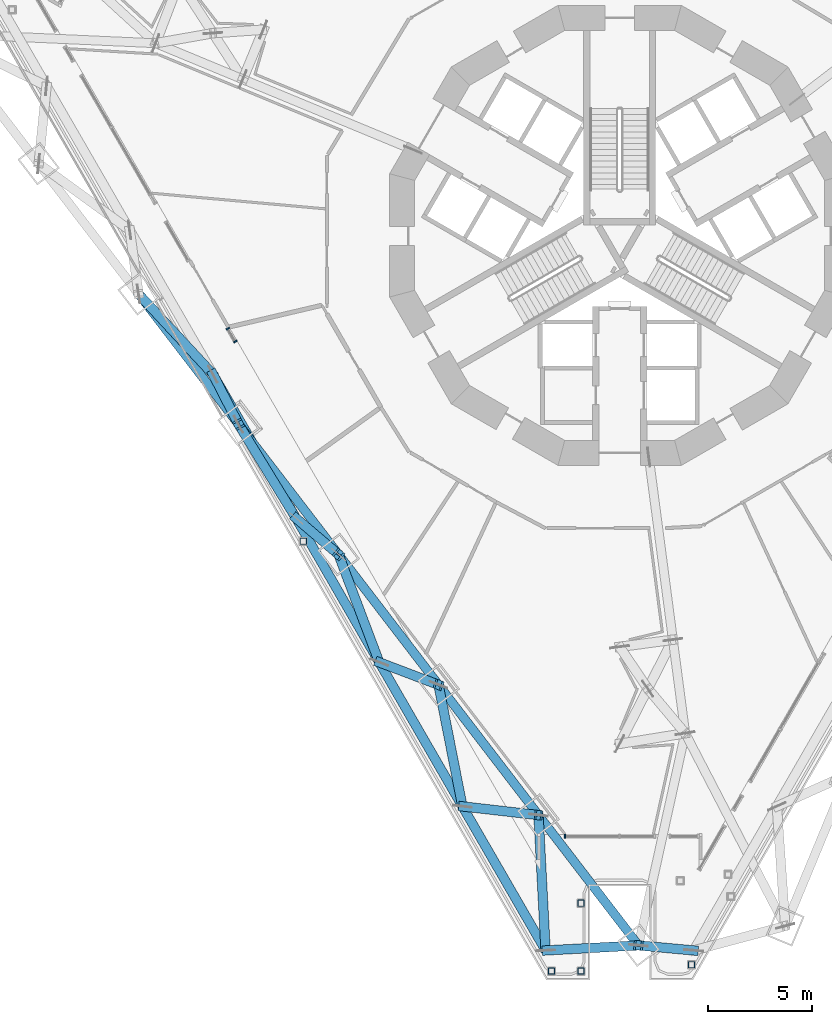
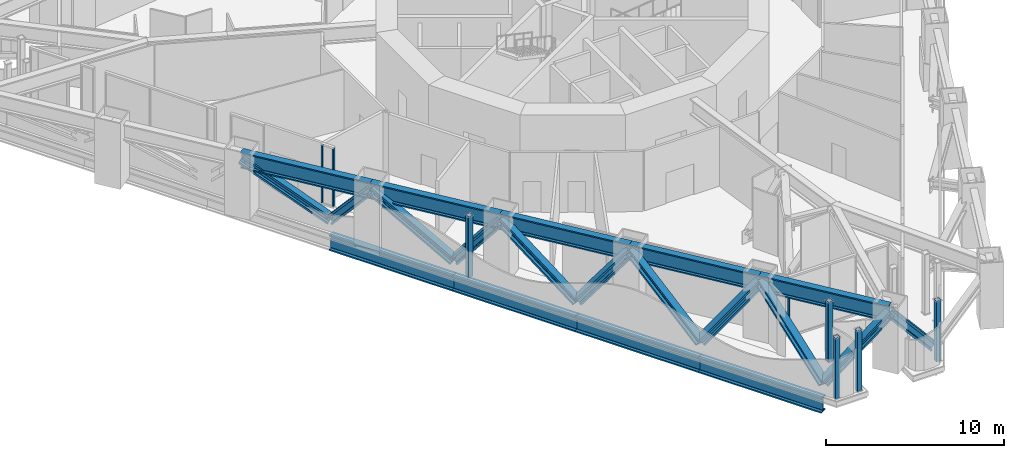
# One storey, part 1 of 28: 28 members, 2 elements without a shape of their own.
"""IFC4 building model written with IfcOpenShell, lengths in metres."""

import ifcopenshell
import ifcopenshell.guid

model = None  # the IFC model being written
_history = None  # IfcOwnerHistory: only IFC2X3 demands one
_inside = {}  # id of a spatial element -> (the spatial element, [elements in it])
_under = {}  # id of a project, library or spatial element -> (it, [spatial elements below it])
_declared = {}  # id of a project -> (the project, [libraries it declares])
_typed = {}  # id of a type object -> (the type object, [elements of that type])
_made_of = {}  # id of a material, layer set ... -> (it, [elements and type objects made of it])


def new_model(schema):
    """Start an empty IFC model of exactly this schema.

    Asked for "IFC4X3", IfcOpenShell would pick the latest addendum, in which some entities
    have other attributes; the version numbers below select the first issue.
    IFC2X3 requires an IfcOwnerHistory on every rooted entity: one is made here for all.
    """
    global model, _history
    if schema == "IFC4X3":
        model = ifcopenshell.file(schema_version=(4, 3, 0, 0))
    else:
        model = ifcopenshell.file(schema=schema)
    _inside.clear()
    _under.clear()
    _declared.clear()
    _typed.clear()
    _made_of.clear()
    _history = None
    if model.schema == "IFC2X3":
        org = make("IfcOrganization", Name="unknown")
        user = make(
            "IfcPersonAndOrganization",
            ThePerson=make("IfcPerson", FamilyName="unknown"),
            TheOrganization=org,
        )
        app = make(
            "IfcApplication",
            ApplicationDeveloper=org,
            Version="unknown",
            ApplicationFullName="unknown",
            ApplicationIdentifier="unknown",
        )
        _history = make(
            "IfcOwnerHistory",
            OwningUser=user,
            OwningApplication=app,
            ChangeAction="ADDED",
            CreationDate=0,
        )
    return model


def make(cls, **values):
    """One entity of the class cls with the attributes given. An attribute that is None is left unset."""
    return model.create_entity(
        cls, **{name: value for name, value in values.items() if value is not None}
    )


def rooted(cls, **values):
    """An entity with a GlobalId (a new one), such as an element, a storey or a relation."""
    return make(cls, GlobalId=ifcopenshell.guid.new(), OwnerHistory=_history, **values)


def si_unit(unit_type, name, prefix=None):
    """IfcSIUnit, for example si_unit("LENGTHUNIT", "METRE", prefix="MILLI")."""
    return make("IfcSIUnit", UnitType=unit_type, Prefix=prefix, Name=name)


def assignment(units):
    """IfcUnitAssignment: the units of a project."""
    return None if units is None else make("IfcUnitAssignment", Units=units)


def point(xyz):
    """IfcCartesianPoint."""
    return None if xyz is None else make("IfcCartesianPoint", Coordinates=xyz)


def direction(xyz):
    """IfcDirection."""
    return None if xyz is None else make("IfcDirection", DirectionRatios=xyz)


def frame(location, z_axis=None, x_axis=None):
    """IfcAxis2Placement3D, a coordinate frame: its origin and axes. An axis left out is left unset."""
    return make(
        "IfcAxis2Placement3D",
        Location=point(location),
        Axis=direction(z_axis),
        RefDirection=direction(x_axis),
    )


def frame_2d(location, x_axis=None):
    """IfcAxis2Placement2D, a coordinate frame in the plane: its origin and x axis."""
    return make(
        "IfcAxis2Placement2D", Location=point(location), RefDirection=direction(x_axis)
    )


def origin():
    """The frame at (0, 0, 0) with its axes left unset."""
    return frame((0.0, 0.0, 0.0))


def origin_2d():
    """The frame at (0, 0) in the plane with its x axis left unset."""
    return frame_2d((0.0, 0.0))


def place(relative_to, where):
    """IfcLocalPlacement: puts the frame where relative to a parent placement (None: the world)."""
    return make(
        "IfcLocalPlacement", PlacementRelTo=relative_to, RelativePlacement=where
    )


def context(
    kind, dimensions, precision=None, world=None, true_north=None, identifier=None
):
    """IfcGeometricRepresentationContext, for example the 3D "Model" context."""
    return make(
        "IfcGeometricRepresentationContext",
        ContextIdentifier=identifier,
        ContextType=kind,
        CoordinateSpaceDimension=dimensions,
        Precision=precision,
        WorldCoordinateSystem=world,
        TrueNorth=true_north,
    )


def subcontext(parent, identifier, kind, view, scale=None):
    """IfcGeometricRepresentationSubContext, for example "Body" below "Model"."""
    return make(
        "IfcGeometricRepresentationSubContext",
        ContextIdentifier=identifier,
        ContextType=kind,
        ParentContext=parent,
        TargetScale=scale,
        TargetView=view,
    )


def project(units=None, contexts=None):
    """IfcProject with its units and contexts."""
    return rooted(
        "IfcProject",
        Name="project",
        RepresentationContexts=contexts,
        UnitsInContext=assignment(units),
    )


def spatial(cls, under=None, at=None, **own):
    """A site, building, storey or space (cls), placed at a placement, below another one or the project."""
    s = rooted(cls, ObjectPlacement=at, **own)
    if under is not None:
        _under.setdefault(under.id(), (under, []))[1].append(s)
    return s


def profile(cls, at=None, kind="AREA", **sizes):
    """A parametric profile (cls). Its sizes go by their IFC names, for example OverallWidth=200.0."""
    return make(cls, ProfileType=kind, Position=at, **sizes)


def rectangle(**sizes):
    """IfcRectangleProfileDef."""
    return profile("IfcRectangleProfileDef", **sizes)


def hollow_rectangle(**sizes):
    """IfcRectangleHollowProfileDef."""
    return profile("IfcRectangleHollowProfileDef", **sizes)


def i_section(**sizes):
    """IfcIShapeProfileDef."""
    return profile("IfcIShapeProfileDef", **sizes)


def extrude(swept, where, along, depth):
    """IfcExtrudedAreaSolid: the profile swept, set in the frame where, extruded along a direction by depth."""
    return make(
        "IfcExtrudedAreaSolid",
        SweptArea=swept,
        Position=where,
        ExtrudedDirection=direction(along),
        Depth=depth,
    )


def shape(context_of_items, identifier, shape_type, items):
    """IfcShapeRepresentation: the items that make up one representation, for example the "Body"."""
    return make(
        "IfcShapeRepresentation",
        ContextOfItems=context_of_items,
        RepresentationIdentifier=identifier,
        RepresentationType=shape_type,
        Items=items,
    )


def material(Name=None, Category=None):
    """IfcMaterial."""
    return make("IfcMaterial", Name=Name, Category=Category)


def layer(
    of_material, thickness, ventilated=None, Name=None, Category=None, Priority=None
):
    """IfcMaterialLayer: one layer of a wall or slab, of a material (None: an air gap)."""
    return make(
        "IfcMaterialLayer",
        Material=of_material,
        LayerThickness=thickness,
        IsVentilated=ventilated,
        Name=Name,
        Category=Category,
        Priority=Priority,
    )


def layer_set(layers, Name=None):
    """IfcMaterialLayerSet."""
    return make("IfcMaterialLayerSet", MaterialLayers=layers, LayerSetName=Name)


def material_profile(
    of_material, cross_section, Name=None, Category=None, Priority=None
):
    """IfcMaterialProfile: a cross section and its material."""
    return make(
        "IfcMaterialProfile",
        Name=Name,
        Material=of_material,
        Profile=cross_section,
        Priority=Priority,
        Category=Category,
    )


def profile_set(profiles, Name=None, composite=None):
    """IfcMaterialProfileSet."""
    return make(
        "IfcMaterialProfileSet",
        Name=Name,
        MaterialProfiles=profiles,
        CompositeProfile=composite,
    )


def made_of(thing, what):
    """Note that an element or type object is made of a material, layer set ...; save() writes the relation."""
    if what is not None:
        _made_of.setdefault(what.id(), (what, []))[1].append(thing)
    return thing


def type_object(cls, material=None, **own):
    """A type object (cls), such as IfcWallType, which elements share."""
    return made_of(rooted(cls, **own), material)


def element(
    cls,
    number,
    at=None,
    inside=None,
    cuts=None,
    type_object=None,
    material=None,
    context=None,
    identifier="Body",
    shape_type=None,
    held_by="IfcProductDefinitionShape",
    body=None,
    shapes=None,
    **own,
):
    """One element of the class cls, such as IfcWall. Its Tag is "e" and its number.

    at: its placement. inside: the storey or other place that contains it. cuts: it is an
    opening in that element (IfcRelVoidsElement). A single representation is given by context,
    identifier, shape_type and body (its items); several are given by shapes. held_by: the class
    of the entity that holds the representations. save() writes the other relations.
    """
    e = rooted(cls, Tag="e%d" % number, ObjectPlacement=at, **own)
    if body is not None:
        shapes = [shape(context, identifier, shape_type, body)]
    if shapes is not None:
        e.Representation = make(held_by, Representations=shapes)
    if inside is not None:
        _inside.setdefault(inside.id(), (inside, []))[1].append(e)
    if cuts is not None:
        rooted(
            "IfcRelVoidsElement", RelatingBuildingElement=cuts, RelatedOpeningElement=e
        )
    if type_object is not None:
        _typed.setdefault(type_object.id(), (type_object, []))[1].append(e)
    return made_of(e, material)


def aggregate(whole, parts):
    """IfcRelAggregates: a whole, such as a stair, and the parts it consists of."""
    return rooted("IfcRelAggregates", RelatingObject=whole, RelatedObjects=parts)


def save(model, path):
    """Write the relations noted so far, then the file.

    IfcRelAggregates (storeys below a building ...), IfcRelContainedInSpatialStructure (elements
    in a storey), IfcRelDefinesByType, IfcRelAssociatesMaterial and IfcRelDeclares: one each for
    every whole, place, type object, material and project.
    """
    for whole, parts in _under.values():
        aggregate(whole, parts)
    for where, things in _inside.values():
        rooted(
            "IfcRelContainedInSpatialStructure",
            RelatedElements=things,
            RelatingStructure=where,
        )
    for kind, things in _typed.values():
        rooted("IfcRelDefinesByType", RelatedObjects=things, RelatingType=kind)
    for what, things in _made_of.values():
        rooted("IfcRelAssociatesMaterial", RelatedObjects=things, RelatingMaterial=what)
    for by, libraries in _declared.values():
        rooted("IfcRelDeclares", RelatingContext=by, RelatedDefinitions=libraries)
    model.write(path)


model = new_model("IFC4")

# Units and contexts
model_context = context("Model", 3, precision=1e-05, world=origin(), true_north=direction((0.0, 1.0)))
body_context = subcontext(model_context, "Body", "Model", "MODEL_VIEW")
ifc_project = project(units=[si_unit("LENGTHUNIT", "METRE"), si_unit("AREAUNIT", "SQUARE_METRE"), si_unit("VOLUMEUNIT", "CUBIC_METRE"), si_unit("PLANEANGLEUNIT", "RADIAN"), si_unit("MASSUNIT", "GRAM", prefix="KILO")], contexts=[model_context])

# Site, building, storey
site_placement = place(None, origin())
site = spatial("IfcSite", under=ifc_project, at=site_placement, CompositionType="ELEMENT")
building_placement = place(site_placement, origin())
building = spatial("IfcBuilding", under=site, at=building_placement, Name="Trine Commons Tower", CompositionType="ELEMENT")
storey_placement = place(building_placement, frame((0.0, 0.0, 45.89990234375)))
storey = spatial("IfcBuildingStorey", under=building, at=storey_placement, Name="L10", CompositionType="ELEMENT", Elevation=45.89990234375)

# Curtain wall, member
ifc_material_1 = material(Name="Sky lounge glazing: anodised aluminium frame with low-emissivity double glazed unit, solar control", Category="aluminium")
ifc_layer = layer(ifc_material_1, 0.179931640625)
ifc_layer_set = layer_set([ifc_layer], Name="Sky lounge glazing: anodised aluminium frame with low-emissivity double glazed unit, solar control")
curtain_wall_type = type_object("IfcCurtainWallType", Name="Sky lounge glazing curtain wall CW5", PredefinedType="NOTDEFINED", material=ifc_layer_set)
curtain_wall_1_placement = place(storey_placement, origin())
curtain_wall_1 = element("IfcCurtainWall", 1, at=curtain_wall_1_placement, inside=storey, type_object=curtain_wall_type, Name="Sky lounge glazing L10 P3.2", PredefinedType="NOTDEFINED")
ifc_material_2 = material(Name="Anodised aluminium, bronze finish", Category="aluminium")
ifc_material_profile_1 = material_profile(ifc_material_2, rectangle(XDim=0.179931640625, YDim=0.074951171875, at=origin_2d()), Name="Mullion 75x180")
ifc_profile_set_1 = profile_set([ifc_material_profile_1], Name="Anodised aluminium, bronze finish")
member_type_1 = type_object("IfcMemberType", Name="Mullion 75x180, Anodised aluminium, bronze finish", PredefinedType="MULLION", material=ifc_profile_set_1)
member_1_placement = place(storey_placement, frame((77.37548828125, 33.74072265625, 0.110107421875), z_axis=(0.0, 0.0, 1.0), x_axis=(0.0, -1.0, 0.0)))
member_1 = element("IfcMember", 2, at=member_1_placement, type_object=member_type_1, Name="CW5 mullion 3.1", PredefinedType="MULLION", context=body_context, shape_type="SweptSolid", body=[
    extrude(rectangle(XDim=0.179931640625, YDim=0.074951171875, at=origin_2d()), origin(), (0.0, 0.0, 1.0), 3.929931640625),
])
aggregate(curtain_wall_1, [member_1])

# Curtain wall, members
curtain_wall_2_placement = place(storey_placement, origin())
curtain_wall_2 = element("IfcCurtainWall", 3, at=curtain_wall_2_placement, inside=storey, type_object=curtain_wall_type, Name="Sky lounge glazing L10 F3.1", PredefinedType="NOTDEFINED")
member_2_placement = place(storey_placement, frame((61.601318359375, 57.418212890625, 0.110107421875), z_axis=(0.0, 0.0, 1.0), x_axis=(-0.866025403784, -0.5, 0.0)))
member_2 = element("IfcMember", 4, at=member_2_placement, type_object=member_type_1, Name="CW5 mullion 1.1", PredefinedType="MULLION", context=body_context, shape_type="SweptSolid", body=[
    extrude(rectangle(XDim=0.179931640625, YDim=0.074951171875, at=origin_2d()), origin(), (0.0, 0.0, 1.0), 3.929931640625),
])
member_3_placement = place(storey_placement, frame((61.2451171875, 58.034912109375, 0.110107421875), z_axis=(0.0, 0.0, 1.0), x_axis=(-0.866025403784, -0.5, 0.0)))
member_3 = element("IfcMember", 5, at=member_3_placement, type_object=member_type_1, Name="CW5 mullion 2.1", PredefinedType="MULLION", context=body_context, shape_type="SweptSolid", body=[
    extrude(rectangle(XDim=0.179931640625, YDim=0.074951171875, at=origin_2d()), origin(), (0.0, 0.0, 1.0), 3.929931640625),
])
aggregate(curtain_wall_2, [member_2, member_3])

# Members
ifc_material_3 = material(Name="Structural steel ASTM A992 Gr50", Category="steel")
ifc_material_profile_2 = material_profile(ifc_material_3, i_section(OverallWidth=0.4541015625, OverallDepth=0.568359375, WebThickness=0.077880859375, FlangeThickness=0.124755859375, FilletRadius=0.015380859375, at=origin_2d()), Name="W14X730")
ifc_profile_set_2 = profile_set([ifc_material_profile_2], Name="Structural steel ASTM A992 Gr50")
member_type_2 = type_object("IfcMemberType", Name="Steel brace W14X730, ASTM A992 Gr50", PredefinedType="BRACE", material=ifc_profile_set_2)
member_4_placement = place(storey_placement, frame((83.54443359375, 28.27001953125, 0.520751953125), z_axis=(-0.649954036394, 0.059512128863, 0.757639793763), x_axis=(-0.091182163181, -0.995834229738, 0.0)))
element("IfcMember", 6, at=member_4_placement, inside=storey, type_object=member_type_2, Name="Transfer truss brace T1-DG-01", PredefinedType="BRACE", context=body_context, shape_type="SweptSolid", body=[
    extrude(i_section(OverallWidth=0.4541015625, OverallDepth=0.568359375, WebThickness=0.077880859375, FlangeThickness=0.124755859375, FilletRadius=0.015380859375, at=origin_2d()), origin(), (0.0, 0.0, 1.0), 4.069580078125),
])
member_5_placement = place(storey_placement, frame((76.45556640625, 28.27001953125, 0.520751953125), z_axis=(0.8207859649, 0.044732429248, 0.5694817026), x_axis=(-0.054418748293, 0.998518202055, 0.0)))
element("IfcMember", 7, at=member_5_placement, inside=storey, type_object=member_type_2, Name="Transfer truss brace T1-DG-02", PredefinedType="BRACE", context=body_context, shape_type="SweptSolid", body=[
    extrude(i_section(OverallWidth=0.4541015625, OverallDepth=0.568359375, WebThickness=0.077880859375, FlangeThickness=0.124755859375, FilletRadius=0.015380859375, at=origin_2d()), origin(), (0.0, 0.0, 1.0), 5.4140625),
])
member_6_placement = place(storey_placement, frame((72.473876953125, 35.16650390625, 0.520751953125), z_axis=(0.760171400933, -0.087278749809, 0.643833721574), x_axis=(0.114065202257, 0.993473265687, 0.0)))
element("IfcMember", 8, at=member_6_placement, inside=storey, type_object=member_type_2, Name="Transfer truss brace T1-DG-03", PredefinedType="BRACE", context=body_context, shape_type="SweptSolid", body=[
    extrude(i_section(OverallWidth=0.4541015625, OverallDepth=0.568359375, WebThickness=0.077880859375, FlangeThickness=0.124755859375, FilletRadius=0.015380859375, at=origin_2d()), origin(), (0.0, 0.0, 1.0), 4.788818359375),
])
member_7_placement = place(storey_placement, frame((76.45556640625, 28.27001953125, 0.520751953125), z_axis=(-0.047516802418, 0.901935528593, 0.429248710831), x_axis=(-0.998615125128, -0.052610187855, 0.0)))
element("IfcMember", 9, at=member_7_placement, inside=storey, type_object=member_type_2, Name="Transfer truss brace T1-DG-04", PredefinedType="BRACE", context=body_context, shape_type="SweptSolid", body=[
    extrude(i_section(OverallWidth=0.4541015625, OverallDepth=0.568359375, WebThickness=0.077880859375, FlangeThickness=0.124755859375, FilletRadius=0.015380859375, at=origin_2d()), origin(), (0.0, 0.0, 1.0), 7.182861328125),
])
member_8_placement = place(storey_placement, frame((68.4921875, 42.06298828125, 0.520751953125), z_axis=(0.655727462654, -0.249255439117, 0.712666275891), x_axis=(0.355316168321, 0.934746179735, 0.0)))
element("IfcMember", 10, at=member_8_placement, inside=storey, type_object=member_type_2, Name="Transfer truss brace T1-DG-05", PredefinedType="BRACE", context=body_context, shape_type="SweptSolid", body=[
    extrude(i_section(OverallWidth=0.4541015625, OverallDepth=0.568359375, WebThickness=0.077880859375, FlangeThickness=0.124755859375, FilletRadius=0.015380859375, at=origin_2d()), origin(), (0.0, 0.0, 1.0), 4.326416015625),
])
member_9_placement = place(storey_placement, frame((72.473876953125, 35.16650390625, 0.520751953125), z_axis=(-0.17128718004, 0.870536316384, 0.46133201039), x_axis=(-0.981187169339, -0.193058899628, 0.0)))
element("IfcMember", 11, at=member_9_placement, inside=storey, type_object=member_type_2, Name="Transfer truss brace T1-DG-06", PredefinedType="BRACE", context=body_context, shape_type="SweptSolid", body=[
    extrude(i_section(OverallWidth=0.4541015625, OverallDepth=0.568359375, WebThickness=0.077880859375, FlangeThickness=0.124755859375, FilletRadius=0.015380859375, at=origin_2d()), origin(), (0.0, 0.0, 1.0), 6.683349609375),
])
member_10_placement = place(storey_placement, frame((64.510498046875, 48.95947265625, 0.520751953125), z_axis=(0.498120662208, -0.425935329121, 0.755284649181), x_axis=(0.649889140517, 0.760029015918, 0.0)))
element("IfcMember", 12, at=member_10_placement, inside=storey, type_object=member_type_2, Name="Transfer truss brace T1-DG-07", PredefinedType="BRACE", context=body_context, shape_type="SweptSolid", body=[
    extrude(i_section(OverallWidth=0.4541015625, OverallDepth=0.568359375, WebThickness=0.077880859375, FlangeThickness=0.124755859375, FilletRadius=0.015380859375, at=origin_2d()), origin(), (0.0, 0.0, 1.0), 4.082275390625),
])
member_11_placement = place(storey_placement, frame((68.4921875, 42.06298828125, 0.520751953125), z_axis=(-0.3084140217, 0.816485541659, 0.488090310783), x_axis=(-0.935485756241, -0.353364400966, 0.0)))
element("IfcMember", 13, at=member_11_placement, inside=storey, type_object=member_type_2, Name="Transfer truss brace T1-DG-08", PredefinedType="BRACE", context=body_context, shape_type="SweptSolid", body=[
    extrude(i_section(OverallWidth=0.4541015625, OverallDepth=0.568359375, WebThickness=0.077880859375, FlangeThickness=0.124755859375, FilletRadius=0.015380859375, at=origin_2d()), origin(), (0.0, 0.0, 1.0), 6.31689453125),
])
member_12_placement = place(storey_placement, frame((60.52880859375, 55.85595703125, 0.520751953125), z_axis=(0.300315736966, -0.585728946294, 0.752816086175), x_axis=(0.889853288508, 0.456246780735, 0.0)))
element("IfcMember", 14, at=member_12_placement, inside=storey, type_object=member_type_2, Name="Transfer truss brace T1-DG-09", PredefinedType="BRACE", context=body_context, shape_type="SweptSolid", body=[
    extrude(i_section(OverallWidth=0.4541015625, OverallDepth=0.568359375, WebThickness=0.077880859375, FlangeThickness=0.124755859375, FilletRadius=0.015380859375, at=origin_2d()), origin(), (0.0, 0.0, 1.0), 4.095703125),
])
member_13_placement = place(storey_placement, frame((64.510498046875, 48.95947265625, 0.520751953125), z_axis=(-0.450516765297, 0.736351685769, 0.504797819975), x_axis=(-0.853011595374, -0.521891960235, 0.0)))
element("IfcMember", 15, at=member_13_placement, inside=storey, type_object=member_type_2, Name="Transfer truss brace T1-DG-10", PredefinedType="BRACE", context=body_context, shape_type="SweptSolid", body=[
    extrude(i_section(OverallWidth=0.4541015625, OverallDepth=0.568359375, WebThickness=0.077880859375, FlangeThickness=0.124755859375, FilletRadius=0.015380859375, at=origin_2d()), origin(), (0.0, 0.0, 1.0), 6.10791015625),
])
member_14_placement = place(storey_placement, frame((60.52880859375, 55.85595703125, 0.520751953125), z_axis=(-0.585500744558, 0.631940338018, 0.507779762603), x_axis=(-0.733546062765, -0.679639738245, 0.0)))
element("IfcMember", 16, at=member_14_placement, inside=storey, type_object=member_type_2, Name="Transfer truss brace T1-DG-12", PredefinedType="BRACE", context=body_context, shape_type="SweptSolid", body=[
    extrude(i_section(OverallWidth=0.4541015625, OverallDepth=0.568359375, WebThickness=0.077880859375, FlangeThickness=0.124755859375, FilletRadius=0.015380859375, at=origin_2d()), origin(), (0.0, 0.0, 1.0), 6.072021484375),
])
ifc_material_profile_3 = material_profile(ifc_material_3, i_section(OverallWidth=0.44775390625, OverallDepth=1.04150390625, WebThickness=0.050048828125, FlangeThickness=0.08984375, FilletRadius=0.024169921875, at=origin_2d()), Name="W36X652")
ifc_profile_set_3 = profile_set([ifc_material_profile_3], Name="Structural steel ASTM A992 Gr50")
member_type_3 = type_object("IfcMemberType", Name="Steel chord W36X652, ASTM A992 Gr50", PredefinedType="CHORD", material=ifc_profile_set_3)
for number, where, z_axis, x_axis, name in (
    (17, (76.45556640625, 28.27001953125, -0.970703125), (-0.500000220644, 0.866025276396, 0.0), (-0.866025276396, -0.500000220644, 0.0), "Transfer truss chord T1-LC-01"),
    (18, (72.473876953125, 35.16650390625, -0.970703125), (-0.500000220644, 0.866025276396, 0.0), (-0.866025276396, -0.500000220644, 0.0), "Transfer truss chord T1-LC-02"),
    (19, (68.4921875, 42.06298828125, -0.970703125), (-0.500000220644, 0.866025276396, 0.0), (-0.866025276396, -0.500000220644, 0.0), "Transfer truss chord T1-LC-03"),
    (20, (64.510498046875, 48.95947265625, -0.970703125), (-0.500000220644, 0.866025276396, 0.0), (-0.866025276396, -0.500000220644, 0.0), "Transfer truss chord T1-LC-04"),
):
    element("IfcMember", number, at=place(storey_placement, frame(where, z_axis=z_axis, x_axis=x_axis)), inside=storey, type_object=member_type_3, Name=name, PredefinedType="CHORD", context=body_context, shape_type="SweptSolid", body=[
        extrude(i_section(OverallWidth=0.44775390625, OverallDepth=1.04150390625, WebThickness=0.050048828125, FlangeThickness=0.08984375, FilletRadius=0.024169921875, at=origin_2d()), origin(), (0.0, 0.0, 1.0), 7.96337890625),
    ])
ifc_material_profile_4 = material_profile(ifc_material_3, i_section(OverallWidth=0.42529296875, OverallDepth=1.09228515625, WebThickness=0.04541015625, FlangeThickness=0.08203125, FilletRadius=0.030029296875, at=origin_2d()), Name="W40X593")
ifc_profile_set_4 = profile_set([ifc_material_profile_4], Name="Structural steel ASTM A992 Gr50")
member_type_4 = type_object("IfcMemberType", Name="Steel chord W40X593, ASTM A992 Gr50", PredefinedType="CHORD", material=ifc_profile_set_4)
member_15_placement = place(storey_placement, frame((80.8994140625, 28.51220703125, 3.60400390625), z_axis=(-0.608749688417, 0.793362349026, 0.0), x_axis=(-0.793362349026, -0.608749688417, 0.0)))
element("IfcMember", 21, at=member_15_placement, inside=storey, type_object=member_type_4, Name="Transfer truss chord T1-UC-01", PredefinedType="CHORD", context=body_context, shape_type="SweptSolid", body=[
    extrude(i_section(OverallWidth=0.42529296875, OverallDepth=1.09228515625, WebThickness=0.04541015625, FlangeThickness=0.08203125, FilletRadius=0.030029296875, at=origin_2d()), origin(), (0.0, 0.0, 1.0), 7.860595703125),
])
for number, where, z_axis, x_axis, name in (
    (22, (76.1142578125, 34.74853515625, 3.60400390625), (-0.608764688738, 0.793350839002, 0.0), (-0.793350839002, -0.608764688738, 0.0), "Transfer truss chord T1-UC-02"),
    (23, (71.3291015625, 40.984619140625, 3.60400390625), (-0.608764688738, 0.793350839002, 0.0), (-0.793350839002, -0.608764688738, 0.0), "Transfer truss chord T1-UC-03"),
):
    element("IfcMember", number, at=place(storey_placement, frame(where, z_axis=z_axis, x_axis=x_axis)), inside=storey, type_object=member_type_4, Name=name, PredefinedType="CHORD", context=body_context, shape_type="SweptSolid", body=[
        extrude(i_section(OverallWidth=0.42529296875, OverallDepth=1.09228515625, WebThickness=0.04541015625, FlangeThickness=0.08203125, FilletRadius=0.030029296875, at=origin_2d()), origin(), (0.0, 0.0, 1.0), 7.8603515625),
    ])
member_16_placement = place(storey_placement, frame((66.5439453125, 47.220703125, 3.60400390625), z_axis=(-0.608749688417, 0.793362349026, 0.0), x_axis=(-0.793362349026, -0.608749688417, 0.0)))
element("IfcMember", 24, at=member_16_placement, inside=storey, type_object=member_type_4, Name="Transfer truss chord T1-UC-04", PredefinedType="CHORD", context=body_context, shape_type="SweptSolid", body=[
    extrude(i_section(OverallWidth=0.42529296875, OverallDepth=1.09228515625, WebThickness=0.04541015625, FlangeThickness=0.08203125, FilletRadius=0.030029296875, at=origin_2d()), origin(), (0.0, 0.0, 1.0), 7.860595703125),
])
member_17_placement = place(storey_placement, frame((61.7587890625, 53.45703125, 3.60400390625), z_axis=(-0.608764688738, 0.793350839002, 0.0), x_axis=(-0.793350839002, -0.608764688738, 0.0)))
element("IfcMember", 25, at=member_17_placement, inside=storey, type_object=member_type_4, Name="Transfer truss chord T1-UC-05", PredefinedType="CHORD", context=body_context, shape_type="SweptSolid", body=[
    extrude(i_section(OverallWidth=0.42529296875, OverallDepth=1.09228515625, WebThickness=0.04541015625, FlangeThickness=0.08203125, FilletRadius=0.030029296875, at=origin_2d()), origin(), (0.0, 0.0, 1.0), 7.8603515625),
])
ifc_material_4 = material(Name="Structural steel ASTM A500 Gr C", Category="steel")
ifc_material_profile_5 = material_profile(ifc_material_4, hollow_rectangle(XDim=0.3046875, YDim=0.3046875, WallThickness=0.014892578125, InnerFilletRadius=0.00732421875, OuterFilletRadius=0.022216796875, at=origin_2d()), Name="HSS12X12X5/8")
ifc_profile_set_5 = profile_set([ifc_material_profile_5], Name="Structural steel ASTM A500 Gr C")
member_type_5 = type_object("IfcMemberType", Name="Steel post HSS12X12X5/8, ASTM A500 Gr C", PredefinedType="POST", material=ifc_profile_set_5)
for number, where, z_axis, x_axis, name in (
    (26, (78.14990234375, 27.28076171875, 0.0), (0.0, 0.0, 1.0), (1.0, 0.0, 0.0), "Roof post SP1-31"),
    (27, (76.738037109375, 27.28076171875, 0.0), (0.0, 0.0, 1.0), (1.0, 0.0, 0.0), "Roof post SP1-32"),
    (28, (64.858154296875, 47.857421875, 0.0), (0.0, 0.0, 1.0), (1.0, 0.0, 0.0), "Roof post SP1-33"),
    (29, (78.14990234375, 30.534912109375, 0.0), (0.0, 0.0, 1.0), (1.0, 0.0, 0.0), "Roof post SP1-34"),
    (30, (83.43701171875, 27.583740234375, 0.0), (0.0, 0.0, 1.0), (1.0, 0.0, 0.0), "Roof post SP1-41"),
):
    element("IfcMember", number, at=place(storey_placement, frame(where, z_axis=z_axis, x_axis=x_axis)), inside=storey, type_object=member_type_5, Name=name, PredefinedType="POST", context=body_context, shape_type="SweptSolid", body=[
        extrude(hollow_rectangle(XDim=0.3046875, YDim=0.3046875, WallThickness=0.014892578125, InnerFilletRadius=0.00732421875, OuterFilletRadius=0.022216796875, at=origin_2d()), origin(), (0.0, 0.0, 1.0), 4.150146484375),
    ])

save(model, "model.ifc")
